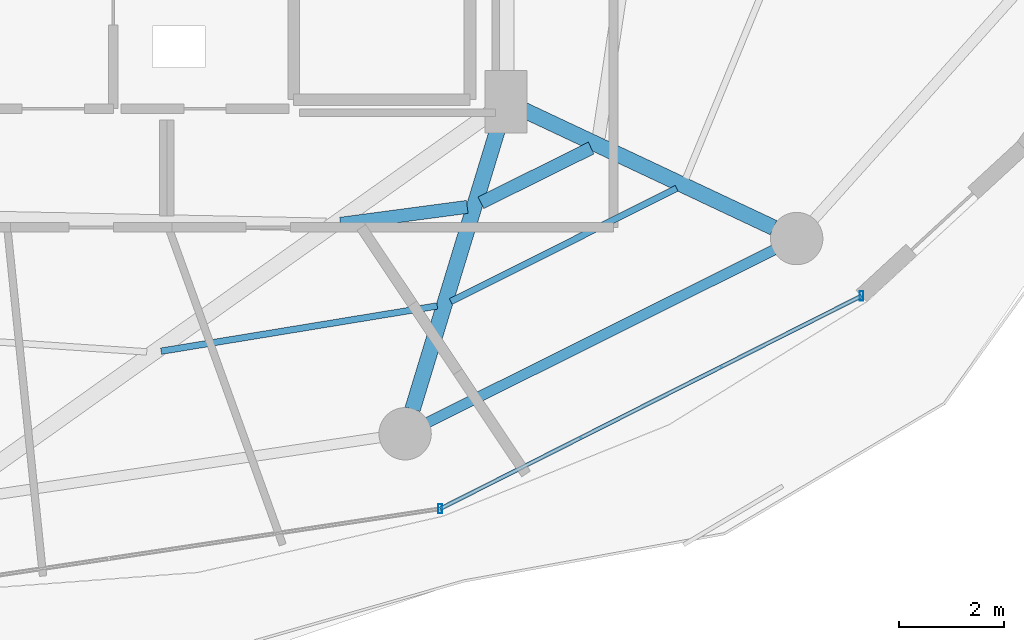
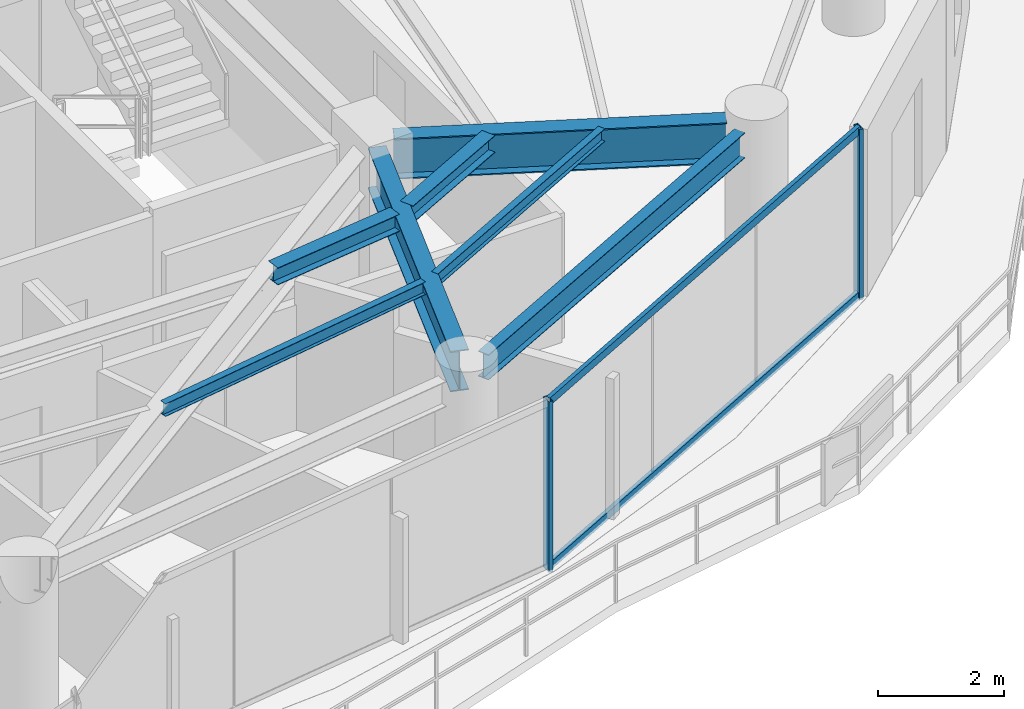
# One storey, part 11 of 30: 7 beams, 4 members, 1 element without a shape of its own.
"""IFC4 building model written with IfcOpenShell, lengths in metres."""

from ifc_helpers import new_model, si_unit, direction, frame, origin, origin_2d, place, context, subcontext, project, spatial, hollow_rectangle, i_section, extrude, material, material_profile, profile_set, type_object, element, aggregate, save


model = new_model("IFC4")

# Units and contexts
model_context = context("Model", 3, precision=1e-05, world=origin(), true_north=direction((0.0, 1.0)))
body_context = subcontext(model_context, "Body", "Model", "MODEL_VIEW")
ifc_project = project(units=[si_unit("LENGTHUNIT", "METRE"), si_unit("AREAUNIT", "SQUARE_METRE"), si_unit("VOLUMEUNIT", "CUBIC_METRE"), si_unit("PLANEANGLEUNIT", "RADIAN"), si_unit("MASSUNIT", "GRAM", prefix="KILO")], contexts=[model_context])

# Site, building, storey
site_placement = place(None, origin())
site = spatial("IfcSite", under=ifc_project, at=site_placement, CompositionType="ELEMENT")
building_placement = place(site_placement, origin())
building = spatial("IfcBuilding", under=site, at=building_placement, Name="Vorneva Point Tower", CompositionType="ELEMENT")
storey_placement = place(building_placement, frame((0.0, 0.0, 157.10009765625)))
storey = spatial("IfcBuildingStorey", under=building, at=storey_placement, Name="L42", CompositionType="ELEMENT", Elevation=157.10009765625)

# Beams
ifc_material_1 = material(Name="Steel S355", Category="steel")
ifc_material_profile_1 = material_profile(ifc_material_1, i_section(OverallWidth=0.300048828125, OverallDepth=0.7880859375, WebThickness=0.014404296875, FlangeThickness=0.02197265625, at=origin_2d()), Name="80Sh1")
ifc_profile_set_1 = profile_set([ifc_material_profile_1], Name="Steel S355")
beam_type_1 = type_object("IfcBeamType", Name="BM-GRD-80Sh1", PredefinedType="USERDEFINED", material=ifc_profile_set_1)
beam_1_placement = place(storey_placement, frame((46.962890625, 10.576171875, 2.845947265625), z_axis=(0.291049382966, 0.95670803105, 0.0), x_axis=(-0.95670803105, 0.291049382966, 0.0)))
element("IfcBeam", 1, at=beam_1_placement, inside=storey, type_object=beam_type_1, Name="L42 Radial Primary Girder 14", ObjectType="GIRDER", PredefinedType="USERDEFINED", context=body_context, shape_type="SweptSolid", body=[
    extrude(i_section(OverallWidth=0.300048828125, OverallDepth=0.7880859375, WebThickness=0.014404296875, FlangeThickness=0.02197265625, at=origin_2d()), origin(), (0.0, 0.0, 1.0), 5.799560546875),
])
beam_2_placement = place(storey_placement, frame((53.857421875, 14.045654296875, 2.845947265625), z_axis=(-0.904761331435, 0.425918927896, 0.0), x_axis=(-0.425918927896, -0.904761331435, 0.0)))
element("IfcBeam", 2, at=beam_2_placement, inside=storey, type_object=beam_type_1, Name="L42 Radial Primary Girder 15", ObjectType="GIRDER", PredefinedType="USERDEFINED", context=body_context, shape_type="SweptSolid", body=[
    extrude(i_section(OverallWidth=0.300048828125, OverallDepth=0.7880859375, WebThickness=0.014404296875, FlangeThickness=0.02197265625, at=origin_2d()), origin(), (0.0, 0.0, 1.0), 5.304931640625),
])
ifc_material_profile_2 = material_profile(ifc_material_1, i_section(OverallWidth=0.1240234375, OverallDepth=0.248046875, WebThickness=0.0048828125, FlangeThickness=0.008056640625, at=origin_2d()), Name="25B1")
ifc_profile_set_2 = profile_set([ifc_material_profile_2], Name="Steel S355")
beam_type_2 = type_object("IfcBeamType", Name="BM-JST-25B1", PredefinedType="JOIST", material=ifc_profile_set_2)
beam_3_placement = place(storey_placement, frame((42.160888671875, 11.686279296875, 3.115966796875), z_axis=(0.986812954533, 0.161864736014, 0.0), x_axis=(-0.161864736014, 0.986812954533, 0.0)))
element("IfcBeam", 3, at=beam_3_placement, inside=storey, type_object=beam_type_2, Name="L42 Secondary Floor Beam 1.13", PredefinedType="JOIST", context=body_context, shape_type="SweptSolid", body=[
    extrude(i_section(OverallWidth=0.1240234375, OverallDepth=0.248046875, WebThickness=0.0048828125, FlangeThickness=0.008056640625, at=origin_2d()), origin(), (0.0, 0.0, 1.0), 5.343994140625),
])
beam_4_placement = place(storey_placement, frame((47.694091796875, 12.635498046875, 3.115966796875), z_axis=(0.893940770693, 0.448185116322, 0.0), x_axis=(-0.448185116322, 0.893940770693, 0.0)))
element("IfcBeam", 4, at=beam_4_placement, inside=storey, type_object=beam_type_2, Name="L42 Secondary Floor Beam 1.14", PredefinedType="JOIST", context=body_context, shape_type="SweptSolid", body=[
    extrude(i_section(OverallWidth=0.1240234375, OverallDepth=0.248046875, WebThickness=0.0048828125, FlangeThickness=0.008056640625, at=origin_2d()), origin(), (0.0, 0.0, 1.0), 4.823486328125),
])
ifc_material_profile_3 = material_profile(ifc_material_1, i_section(OverallWidth=0.2490234375, OverallDepth=0.333984375, WebThickness=0.008056640625, FlangeThickness=0.010986328125, at=origin_2d()), Name="35Sh1")
ifc_profile_set_3 = profile_set([ifc_material_profile_3], Name="Steel S355")
beam_type_3 = type_object("IfcBeamType", Name="BM-SEC-35Sh1", PredefinedType="BEAM", material=ifc_profile_set_3)
beam_5_placement = place(storey_placement, frame((45.587158203125, 14.1201171875, 3.072998046875), z_axis=(0.991280212935, 0.131770783726, 0.0), x_axis=(-0.131770783726, 0.991280212935, 0.0)))
element("IfcBeam", 5, at=beam_5_placement, inside=storey, type_object=beam_type_3, Name="L42 Secondary Floor Beam 2.13", PredefinedType="BEAM", context=body_context, shape_type="SweptSolid", body=[
    extrude(i_section(OverallWidth=0.2490234375, OverallDepth=0.333984375, WebThickness=0.008056640625, FlangeThickness=0.010986328125, at=origin_2d()), origin(), (0.0, 0.0, 1.0), 2.44189453125),
])
beam_6_placement = place(storey_placement, frame((48.268310546875, 14.521484375, 3.072998046875), z_axis=(0.895835455774, 0.444385909068, 0.0), x_axis=(-0.444385909068, 0.895835455774, 0.0)))
element("IfcBeam", 6, at=beam_6_placement, inside=storey, type_object=beam_type_3, Name="L42 Secondary Floor Beam 2.14", PredefinedType="BEAM", context=body_context, shape_type="SweptSolid", body=[
    extrude(i_section(OverallWidth=0.2490234375, OverallDepth=0.333984375, WebThickness=0.008056640625, FlangeThickness=0.010986328125, at=origin_2d()), origin(), (0.0, 0.0, 1.0), 2.350341796875),
])
ifc_material_profile_4 = material_profile(ifc_material_1, i_section(OverallWidth=0.199951171875, OverallDepth=0.491943359375, WebThickness=0.0087890625, FlangeThickness=0.011962890625, at=origin_2d()), Name="50B1")
ifc_profile_set_4 = profile_set([ifc_material_profile_4], Name="Steel S355")
beam_type_4 = type_object("IfcBeamType", Name="BM-SPN-50B1", PredefinedType="SPANDREL", material=ifc_profile_set_4)
beam_7_placement = place(storey_placement, frame((47.2548828125, 10.32568359375, 2.993896484375), z_axis=(0.894929061397, 0.446208443518, 0.0), x_axis=(-0.446208443518, 0.894929061397, 0.0)))
element("IfcBeam", 7, at=beam_7_placement, inside=storey, type_object=beam_type_4, Name="L42 Perimeter Spandrel Ring Beam 14", PredefinedType="SPANDREL", context=body_context, shape_type="SweptSolid", body=[
    extrude(i_section(OverallWidth=0.199951171875, OverallDepth=0.491943359375, WebThickness=0.0087890625, FlangeThickness=0.011962890625, at=origin_2d()), origin(), (0.0, 0.0, 1.0), 7.385986328125),
])

# Curtain wall, members
ifc_material_2 = material(Name="Pale anodised aluminium", Category="aluminium")
curtain_wall_type = type_object("IfcCurtainWallType", Name="CW-RES-SYS", PredefinedType="NOTDEFINED", material=ifc_material_2)
curtain_wall_placement = place(storey_placement, origin())
curtain_wall = element("IfcCurtainWall", 8, at=curtain_wall_placement, inside=storey, type_object=curtain_wall_type, Name="L42 Unitised Curtain Wall CW-L42-R04", PredefinedType="NOTDEFINED")
ifc_material_profile_5 = material_profile(ifc_material_2, hollow_rectangle(XDim=0.074951171875, YDim=0.179931640625, WallThickness=0.00390625, at=origin_2d()), Name="AL-MUL 180x75x4")
ifc_profile_set_5 = profile_set([ifc_material_profile_5], Name="Pale anodised aluminium")
member_type_1 = type_object("IfcMemberType", Name="CW-MUL-180", PredefinedType="MULLION", material=ifc_profile_set_5)
member_1_placement = place(storey_placement, frame((47.490478515625, 8.67724609375, -0.0400390625), z_axis=(0.0, 0.0, 1.0), x_axis=(1.0, 0.0, 0.0)))
member_1 = element("IfcMember", 9, at=member_1_placement, type_object=member_type_1, Name="CW-L42-R04 Mullion 04", PredefinedType="MULLION", context=body_context, shape_type="SweptSolid", body=[
    extrude(hollow_rectangle(XDim=0.074951171875, YDim=0.179931640625, WallThickness=0.00390625, at=origin_2d()), origin(), (0.0, 0.0, 1.0), 3.31005859375),
])
member_2_placement = place(storey_placement, frame((55.5361328125, 12.74169921875, -0.0400390625), z_axis=(0.0, 0.0, 1.0), x_axis=(1.0, 0.0, 0.0)))
member_2 = element("IfcMember", 10, at=member_2_placement, type_object=member_type_1, Name="CW-L42-R04 Mullion 05", PredefinedType="MULLION", context=body_context, shape_type="SweptSolid", body=[
    extrude(hollow_rectangle(XDim=0.074951171875, YDim=0.179931640625, WallThickness=0.00390625, at=origin_2d()), origin(), (0.0, 0.0, 1.0), 3.31005859375),
])
ifc_material_profile_6 = material_profile(ifc_material_2, hollow_rectangle(XDim=0.074951171875, YDim=0.14990234375, WallThickness=0.00390625, at=origin_2d()), Name="AL-TRN 150x75x4")
ifc_profile_set_6 = profile_set([ifc_material_profile_6], Name="Pale anodised aluminium")
member_type_2 = type_object("IfcMemberType", Name="CW-TRN-150", PredefinedType="USERDEFINED", material=ifc_profile_set_6)
member_3_placement = place(storey_placement, frame((47.490478515625, 8.67724609375, 0.02001953125), z_axis=(0.892572392955, 0.450904117673, 0.0), x_axis=(-0.450904117673, 0.892572392955, 0.0)))
member_3 = element("IfcMember", 11, at=member_3_placement, type_object=member_type_2, Name="CW-L42-R04 Transom 04.1", ObjectType="TRANSOM", PredefinedType="USERDEFINED", context=body_context, shape_type="SweptSolid", body=[
    extrude(hollow_rectangle(XDim=0.074951171875, YDim=0.14990234375, WallThickness=0.00390625, at=origin_2d()), origin(), (0.0, 0.0, 1.0), 9.013916015625),
])
member_4_placement = place(storey_placement, frame((47.490478515625, 8.67724609375, 3.219970703125), z_axis=(0.892572392955, 0.450904117673, 0.0), x_axis=(-0.450904117673, 0.892572392955, 0.0)))
member_4 = element("IfcMember", 12, at=member_4_placement, type_object=member_type_2, Name="CW-L42-R04 Transom 04.2", ObjectType="TRANSOM", PredefinedType="USERDEFINED", context=body_context, shape_type="SweptSolid", body=[
    extrude(hollow_rectangle(XDim=0.074951171875, YDim=0.14990234375, WallThickness=0.00390625, at=origin_2d()), origin(), (0.0, 0.0, 1.0), 9.013916015625),
])
aggregate(curtain_wall, [member_1, member_2, member_3, member_4])

save(model, "model.ifc")
